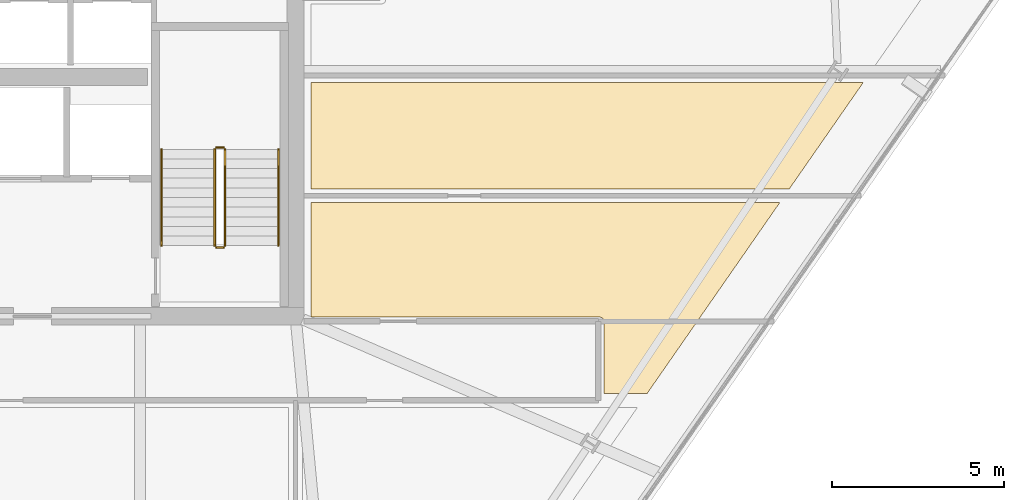
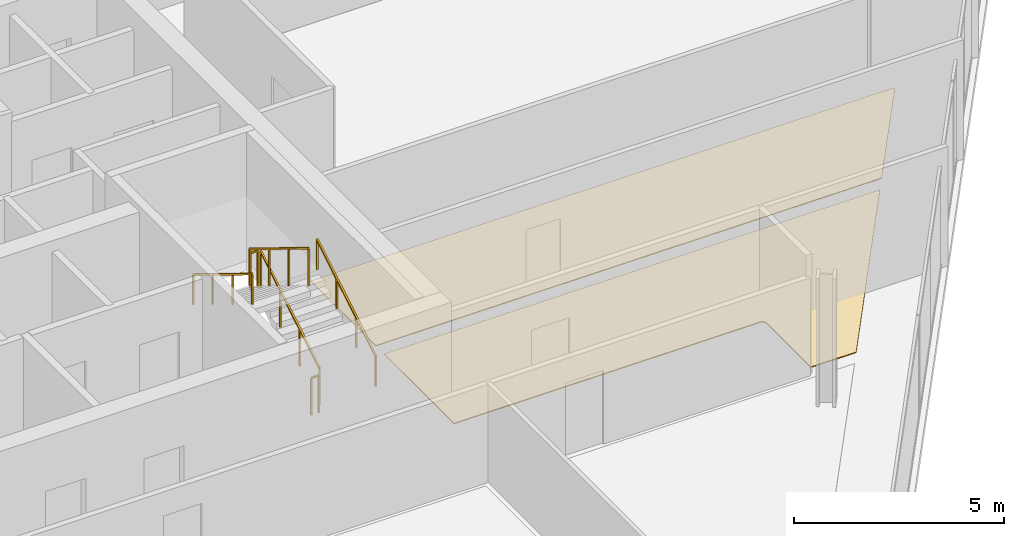
# One storey, part 28 of 30: 6 railings, 2 coverings.
"""IFC4 building model written with IfcOpenShell, lengths in metres."""

from ifc_helpers import new_model, si_unit, direction, frame, origin, origin_2d, place, context, subcontext, project, spatial, polyline, rectangle, outline, extrude, material, layer, layer_set, type_object, element, save


model = new_model("IFC4")

# Units and contexts
model_context = context("Model", 3, precision=1e-05, world=origin(), true_north=direction((0.0, 1.0)))
body_context = subcontext(model_context, "Body", "Model", "MODEL_VIEW")
ifc_project = project(units=[si_unit("LENGTHUNIT", "METRE"), si_unit("AREAUNIT", "SQUARE_METRE"), si_unit("VOLUMEUNIT", "CUBIC_METRE"), si_unit("PLANEANGLEUNIT", "RADIAN"), si_unit("MASSUNIT", "GRAM", prefix="KILO")], contexts=[model_context])

# Site, building, storey
site_placement = place(None, origin())
site = spatial("IfcSite", under=ifc_project, at=site_placement, CompositionType="ELEMENT")
building_placement = place(site_placement, origin())
building = spatial("IfcBuilding", under=site, at=building_placement, Name="Haldenkirk Collegiate Tower", CompositionType="ELEMENT")
storey_placement = place(building_placement, frame((0.0, 0.0, 213.449951171875)))
storey = spatial("IfcBuildingStorey", under=building, at=storey_placement, Name="L53", CompositionType="ELEMENT", Elevation=213.449951171875)

# Coverings
ifc_material_1 = material(Name="Polished collegiate terrazzo", Category="concrete")
ifc_layer_1 = layer(ifc_material_1, 0.02490234375)
ifc_layer_set_1 = layer_set([ifc_layer_1], Name="Polished collegiate terrazzo")
covering_type_1 = type_object("IfcCoveringType", Name="COV-FLOOR-TERRAZZO", PredefinedType="FLOORING", material=ifc_layer_set_1)
covering_1_placement = place(storey_placement, origin())
element("IfcCovering", 1, at=covering_1_placement, inside=storey, type_object=covering_type_1, Name="L53 academic room finish 10", PredefinedType="FLOORING", context=body_context, shape_type="SweptSolid", body=[
    extrude(outline(polyline([(55.21728515625, 15.75), (53.969970703125, 15.75), (53.969970703125, 17.85009765625), (53.969482421875, 17.86181640625), (53.9677734375, 17.873291015625), (53.96484375, 17.884765625), (53.9609375, 17.89599609375), (53.955810546875, 17.906494140625), (53.94970703125, 17.916748046875), (53.94287109375, 17.926025390625), (53.934814453125, 17.934814453125), (53.926025390625, 17.94287109375), (53.916748046875, 17.94970703125), (53.906494140625, 17.955810546875), (53.89599609375, 17.9609375), (53.884765625, 17.96484375), (53.873291015625, 17.9677734375), (53.86181640625, 17.969482421875), (53.85009765625, 17.969970703125), (45.449951171875, 17.969970703125), (45.449951171875, 21.300048828125), (59.07470703125, 21.300048828125), (55.21728515625, 15.75)])), origin(), (0.0, 0.0, 1.0), 0.025146484375),
])
ifc_material_2 = material(Name="Engineered collegiate oak acoustic flooring", Category="wood")
ifc_layer_2 = layer(ifc_material_2, 0.02197265625)
ifc_layer_set_2 = layer_set([ifc_layer_2], Name="Engineered collegiate oak acoustic flooring")
covering_type_2 = type_object("IfcCoveringType", Name="COV-FLOOR-TIMBER", PredefinedType="FLOORING", material=ifc_layer_set_2)
covering_2_placement = place(storey_placement, origin())
element("IfcCovering", 2, at=covering_2_placement, inside=storey, type_object=covering_type_2, Name="L53 academic room finish 11", PredefinedType="FLOORING", context=body_context, shape_type="SweptSolid", body=[
    extrude(outline(polyline([(59.3525390625, 21.699951171875), (45.449951171875, 21.699951171875), (45.449951171875, 24.800048828125), (61.507080078125, 24.800048828125), (59.3525390625, 21.699951171875)])), origin(), (0.0, 0.0, 1.0), 0.02197265625),
])

# Railings
ifc_material_3 = material(Name="Painted architectural tubular steel", Category="steel")
railing_type_1 = type_object("IfcRailingType", Name="RLG-STAIR-GUARD-1100", PredefinedType="BALUSTRADE", material=ifc_material_3)
railing_1_placement = place(storey_placement, frame((42.949951171875, 20.050048828125, 0.17041015625)))
element("IfcRailing", 3, at=railing_1_placement, inside=storey, type_object=railing_type_1, Name="L53 ST-2 stair guard 1", PredefinedType="BALUSTRADE", context=body_context, shape_type="SweptSolid", body=[
    extrude(rectangle(XDim=0.048095703125, YDim=0.048095703125, at=origin_2d()), frame((0.0, 0.0, 1.076171875), z_axis=(0.0, 0.854169791009, 0.51999420009), x_axis=(-1.0, 0.0, 0.0)), (0.0, 0.0, 1.0), 3.278076171875),
    extrude(rectangle(XDim=0.0419921875, YDim=0.0419921875, at=origin_2d()), origin(), (0.0, 0.0, 1.0), 1.052001953125),
    extrude(rectangle(XDim=0.0419921875, YDim=0.0419921875, at=origin_2d()), frame((0.0, 0.933349609375, 0.568115234375)), (0.0, 0.0, 1.0), 1.052001953125),
    extrude(rectangle(XDim=0.0419921875, YDim=0.0419921875, at=origin_2d()), frame((0.0, 1.86669921875, 1.136474609375)), (0.0, 0.0, 1.0), 1.052001953125),
    extrude(rectangle(XDim=0.0419921875, YDim=0.0419921875, at=origin_2d()), frame((0.0, 2.800048828125, 1.70458984375)), (0.0, 0.0, 1.0), 1.052001953125),
])
railing_2_placement = place(storey_placement, frame((42.89990234375, 22.89990234375, 1.875)))
element("IfcRailing", 4, at=railing_2_placement, inside=storey, type_object=railing_type_1, Name="L53 ST-2 stair guard 2", PredefinedType="BALUSTRADE", context=body_context, shape_type="SweptSolid", body=[
    extrude(rectangle(XDim=0.048095703125, YDim=0.048095703125, at=origin_2d()), frame((0.0, 0.0, 1.076171875), z_axis=(-1.0, 0.0, 0.0), x_axis=(0.0, -1.0, 0.0)), (0.0, 0.0, 1.0), 0.199951171875),
    extrude(rectangle(XDim=0.0419921875, YDim=0.0419921875, at=origin_2d()), origin(), (0.0, 0.0, 1.0), 1.052001953125),
    extrude(rectangle(XDim=0.0419921875, YDim=0.0419921875, at=origin_2d()), frame((-0.199951171875, 0.0, 0.0)), (0.0, 0.0, 1.0), 1.052001953125),
])
railing_3_placement = place(storey_placement, frame((42.64990234375, 22.85009765625, 2.04541015625)))
element("IfcRailing", 5, at=railing_3_placement, inside=storey, type_object=railing_type_1, Name="L53 ST-2 stair guard 3", PredefinedType="BALUSTRADE", context=body_context, shape_type="SweptSolid", body=[
    extrude(rectangle(XDim=0.048095703125, YDim=0.048095703125, at=origin_2d()), frame((0.0, 0.0, 1.076171875), z_axis=(0.0, -0.854169791009, 0.51999420009), x_axis=(1.0, 0.0, 0.0)), (0.0, 0.0, 1.0), 3.278076171875),
    extrude(rectangle(XDim=0.0419921875, YDim=0.0419921875, at=origin_2d()), origin(), (0.0, 0.0, 1.0), 1.052001953125),
    extrude(rectangle(XDim=0.0419921875, YDim=0.0419921875, at=origin_2d()), frame((0.0, -0.933349609375, 0.568115234375)), (0.0, 0.0, 1.0), 1.052001953125),
    extrude(rectangle(XDim=0.0419921875, YDim=0.0419921875, at=origin_2d()), frame((0.0, -1.86669921875, 1.136474609375)), (0.0, 0.0, 1.0), 1.052001953125),
    extrude(rectangle(XDim=0.0419921875, YDim=0.0419921875, at=origin_2d()), frame((0.0, -2.800048828125, 1.70458984375)), (0.0, 0.0, 1.0), 1.052001953125),
])
railing_4_placement = place(storey_placement, frame((42.89990234375, 20.0, 0.0)))
element("IfcRailing", 6, at=railing_4_placement, inside=storey, type_object=railing_type_1, Name="L53 ST-2 stair guard 4", PredefinedType="BALUSTRADE", context=body_context, shape_type="SweptSolid", body=[
    extrude(rectangle(XDim=0.048095703125, YDim=0.048095703125, at=origin_2d()), frame((0.0, 0.0, 1.076171875), z_axis=(-1.0, 0.0, 0.0), x_axis=(0.0, -1.0, 0.0)), (0.0, 0.0, 1.0), 0.199951171875),
    extrude(rectangle(XDim=0.0419921875, YDim=0.0419921875, at=origin_2d()), origin(), (0.0, 0.0, 1.0), 1.052001953125),
    extrude(rectangle(XDim=0.0419921875, YDim=0.0419921875, at=origin_2d()), frame((-0.199951171875, 0.0, 0.0)), (0.0, 0.0, 1.0), 1.052001953125),
])
railing_type_2 = type_object("IfcRailingType", Name="RLG-STAIR-HANDRAIL-900", PredefinedType="HANDRAIL", material=ifc_material_3)
railing_5_placement = place(storey_placement, frame((44.5, 20.050048828125, 0.17041015625)))
element("IfcRailing", 7, at=railing_5_placement, inside=storey, type_object=railing_type_2, Name="L53 ST-2 stair handrail 1", PredefinedType="HANDRAIL", context=body_context, shape_type="SweptSolid", body=[
    extrude(rectangle(XDim=0.048095703125, YDim=0.048095703125, at=origin_2d()), frame((0.0, 0.0, 0.8759765625), z_axis=(0.0, 0.854169791009, 0.51999420009), x_axis=(-1.0, 0.0, 0.0)), (0.0, 0.0, 1.0), 3.278076171875),
    extrude(rectangle(XDim=0.0419921875, YDim=0.0419921875, at=origin_2d()), origin(), (0.0, 0.0, 1.0), 0.851806640625),
    extrude(rectangle(XDim=0.0419921875, YDim=0.0419921875, at=origin_2d()), frame((0.0, 0.933349609375, 0.568115234375)), (0.0, 0.0, 1.0), 0.851806640625),
    extrude(rectangle(XDim=0.0419921875, YDim=0.0419921875, at=origin_2d()), frame((0.0, 1.86669921875, 1.136474609375)), (0.0, 0.0, 1.0), 0.851806640625),
    extrude(rectangle(XDim=0.0419921875, YDim=0.0419921875, at=origin_2d()), frame((0.0, 2.800048828125, 1.70458984375)), (0.0, 0.0, 1.0), 0.851806640625),
])
railing_6_placement = place(storey_placement, frame((41.10009765625, 22.85009765625, 2.04541015625)))
element("IfcRailing", 8, at=railing_6_placement, inside=storey, type_object=railing_type_2, Name="L53 ST-2 stair handrail 2", PredefinedType="HANDRAIL", context=body_context, shape_type="SweptSolid", body=[
    extrude(rectangle(XDim=0.048095703125, YDim=0.048095703125, at=origin_2d()), frame((0.0, 0.0, 0.8759765625), z_axis=(0.0, -0.854169791009, 0.51999420009), x_axis=(1.0, 0.0, 0.0)), (0.0, 0.0, 1.0), 3.278076171875),
    extrude(rectangle(XDim=0.0419921875, YDim=0.0419921875, at=origin_2d()), origin(), (0.0, 0.0, 1.0), 0.851806640625),
    extrude(rectangle(XDim=0.0419921875, YDim=0.0419921875, at=origin_2d()), frame((0.0, -0.933349609375, 0.568115234375)), (0.0, 0.0, 1.0), 0.851806640625),
    extrude(rectangle(XDim=0.0419921875, YDim=0.0419921875, at=origin_2d()), frame((0.0, -1.86669921875, 1.136474609375)), (0.0, 0.0, 1.0), 0.851806640625),
    extrude(rectangle(XDim=0.0419921875, YDim=0.0419921875, at=origin_2d()), frame((0.0, -2.800048828125, 1.70458984375)), (0.0, 0.0, 1.0), 0.851806640625),
])

save(model, "model.ifc")
